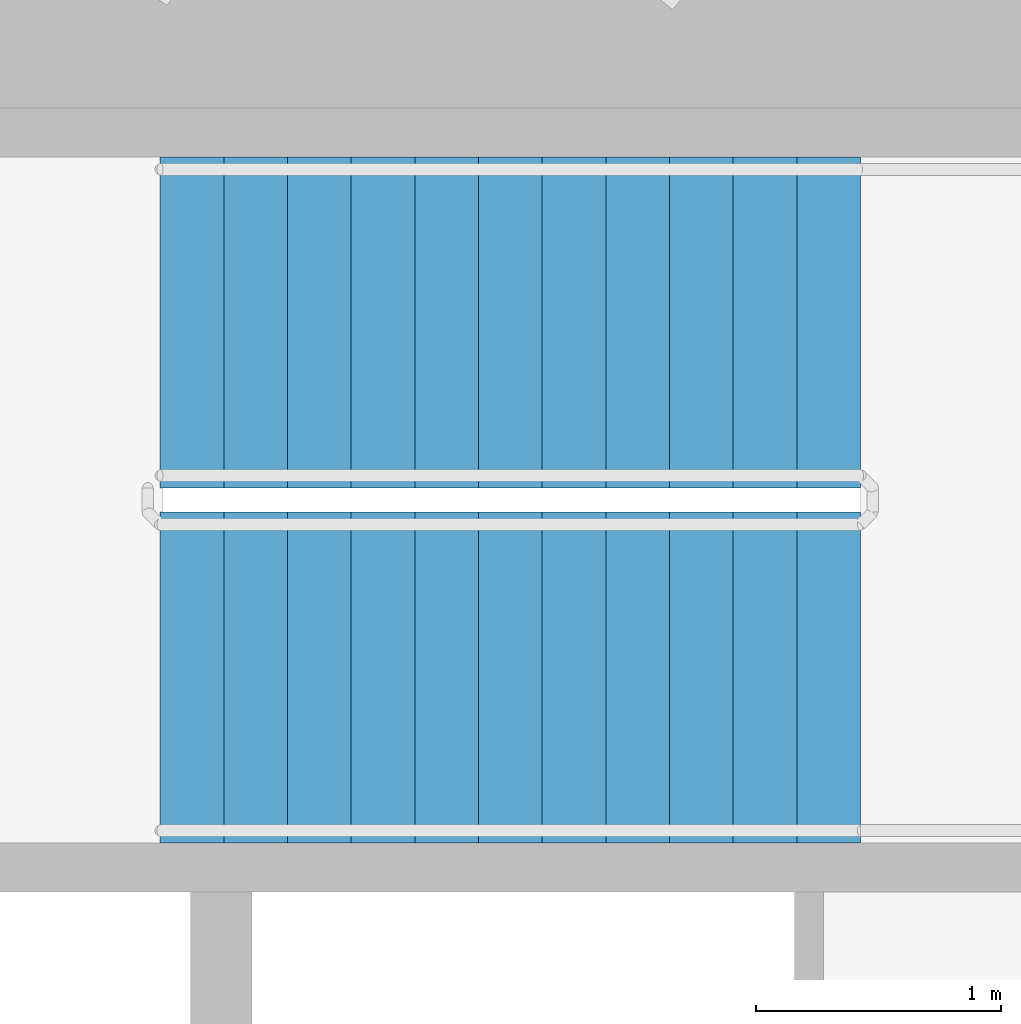
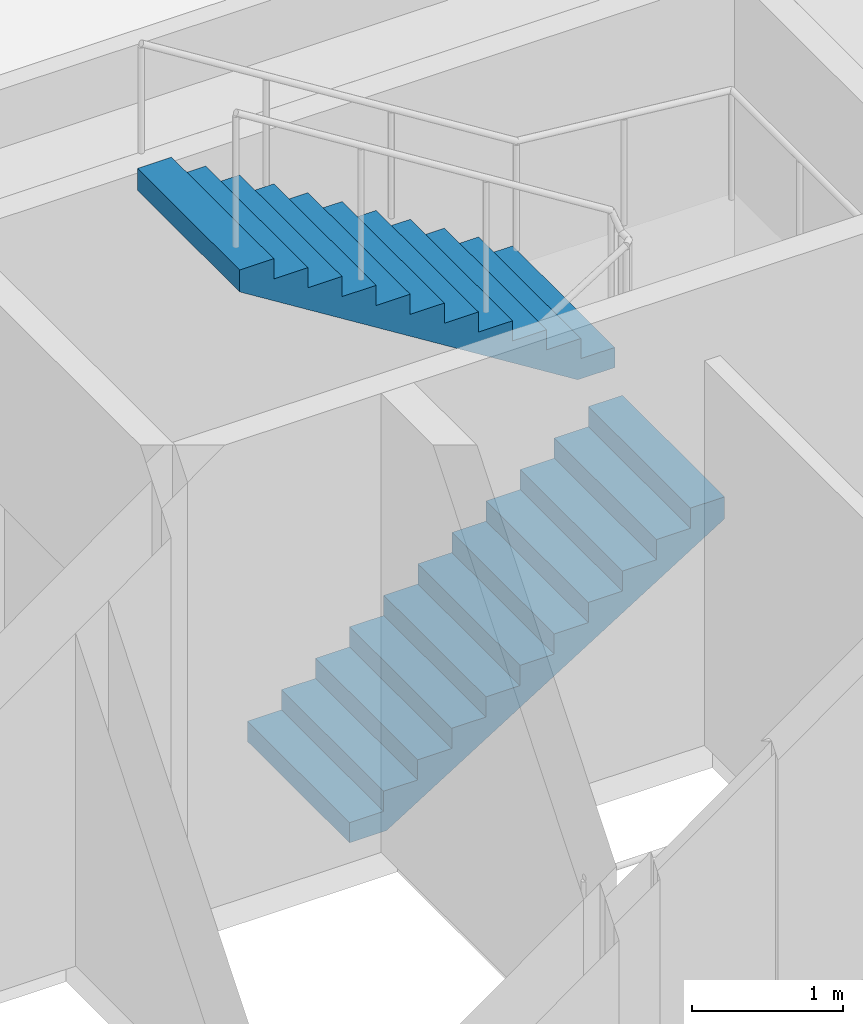
# One storey, part 11 of 12: 2 stair flights, 1 element without a shape of its own.
"""IFC4 building model written with IfcOpenShell, lengths in metres."""

from ifc_helpers import new_model, si_unit, direction, frame, origin, place, context, subcontext, project, spatial, polyline, outline, extrude, source, transform, mapped, material, type_object, element, aggregate, save


model = new_model("IFC4")

# Units and contexts
model_context = context("Model", 3, precision=1e-05, world=origin(), true_north=direction((0.0, 1.0)))
body_context = subcontext(model_context, "Body", "Model", "MODEL_VIEW")
ifc_project = project(units=[si_unit("LENGTHUNIT", "METRE"), si_unit("AREAUNIT", "SQUARE_METRE"), si_unit("VOLUMEUNIT", "CUBIC_METRE"), si_unit("PLANEANGLEUNIT", "RADIAN"), si_unit("MASSUNIT", "GRAM", prefix="KILO")], contexts=[model_context])

# Site, building, storey
site_placement = place(None, origin())
site = spatial("IfcSite", under=ifc_project, at=site_placement, CompositionType="ELEMENT")
building_placement = place(site_placement, origin())
building = spatial("IfcBuilding", under=site, at=building_placement, Name="Embergate Tower", CompositionType="ELEMENT")
storey_placement = place(building_placement, frame((0.0, 0.0, 313.0)))
storey = spatial("IfcBuildingStorey", under=building, at=storey_placement, Name="L73", CompositionType="ELEMENT", Elevation=313.0)

# Stair, stair flights
ifc_material_1 = material(Name="Exit stair")
stair_type = type_object("IfcStairType", Name="Exit stair", PredefinedType="HALF_TURN_STAIR", material=ifc_material_1)
stair_placement = place(storey_placement, origin())
stair = element("IfcStair", 1, at=stair_placement, inside=storey, type_object=stair_type, Name="L73 Exit stair 2", PredefinedType="HALF_TURN_STAIR")
ifc_material_2 = material(Name="Concrete C40", Category="concrete")
stair_flight_type = type_object("IfcStairFlightType", Name="Stair flight reinforced concrete", PredefinedType="STRAIGHT", material=ifc_material_2)
shared_shape = source(origin(), body_context, "Body", "SweptSolid", [
    extrude(outline(polyline([(0.0, 0.0), (0.0, 0.16259765625), (0.260009765625, 0.16259765625), (0.260009765625, 0.324951171875), (0.52001953125, 0.324951171875), (0.52001953125, 0.487548828125), (0.780029296875, 0.487548828125), (0.780029296875, 0.64990234375), (1.0400390625, 0.64990234375), (1.0400390625, 0.8125), (1.300048828125, 0.8125), (1.300048828125, 0.97509765625), (1.56005859375, 0.97509765625), (1.56005859375, 1.137451171875), (1.820068359375, 1.137451171875), (1.820068359375, 1.300048828125), (2.080078125, 1.300048828125), (2.080078125, 1.46240234375), (2.340087890625, 1.46240234375), (2.340087890625, 1.625), (2.60009765625, 1.625), (2.60009765625, 1.78759765625), (2.860107421875, 1.78759765625), (2.860107421875, 1.949951171875), (2.860107421875, 1.61083984375), (0.28271484375, 0.0), (0.0, 0.0)])), frame((0.0, 0.675048828125, 0.0), z_axis=(0.0, -1.0, 0.0), x_axis=(1.0, 0.0, 0.0)), (0.0, 0.0, 1.0), 1.35009765625),
])
stair_flight_1_placement = place(storey_placement, frame((5.75, 6.175048828125, 0.0), z_axis=(0.0, 0.0, 1.0), x_axis=(1.0, 0.0, 0.0)))
stair_flight_1 = element("IfcStairFlight", 2, at=stair_flight_1_placement, type_object=stair_flight_type, Name="ST2 flight 1", NumberOfRisers=12, NumberOfTreads=11, PredefinedType="STRAIGHT", RiserHeight=0.1625, TreadLength=0.26, context=body_context, shape_type="MappedRepresentation", body=[
    mapped(shared_shape, transform((0.0, 0.0, 0.0))),
])
stair_flight_2_placement = place(storey_placement, frame((8.610107421875, 7.625, 1.949951171875), z_axis=(0.0, 0.0, 1.0), x_axis=(-1.0, 0.0, 0.0)))
stair_flight_2 = element("IfcStairFlight", 3, at=stair_flight_2_placement, type_object=stair_flight_type, Name="ST2 flight 2", NumberOfRisers=12, NumberOfTreads=11, PredefinedType="STRAIGHT", RiserHeight=0.1625, TreadLength=0.26, context=body_context, shape_type="MappedRepresentation", body=[
    mapped(shared_shape, transform((0.0, 0.0, 0.0))),
])
aggregate(stair, [stair_flight_1, stair_flight_2])

save(model, "model.ifc")
